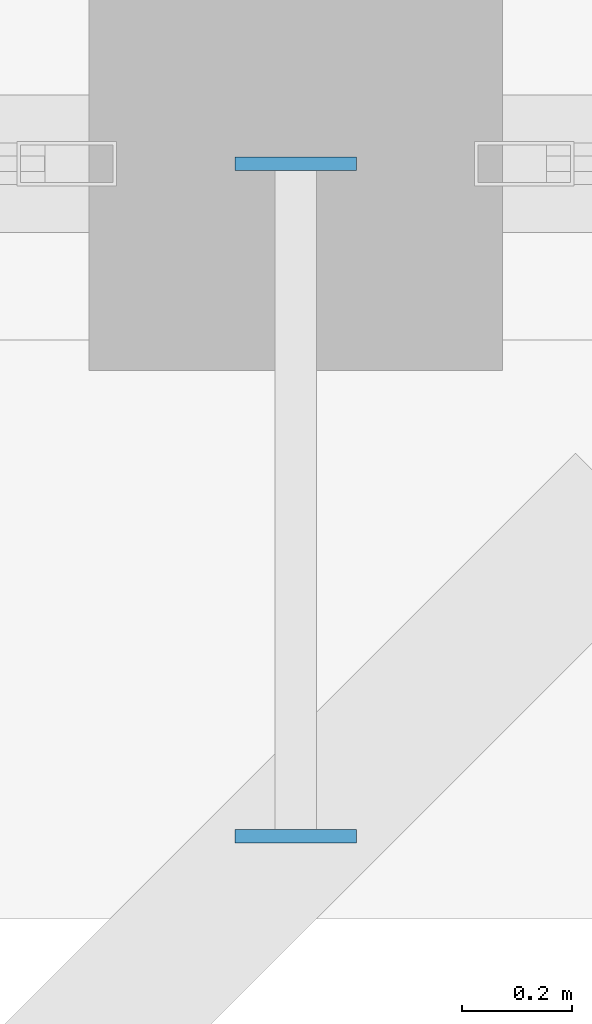
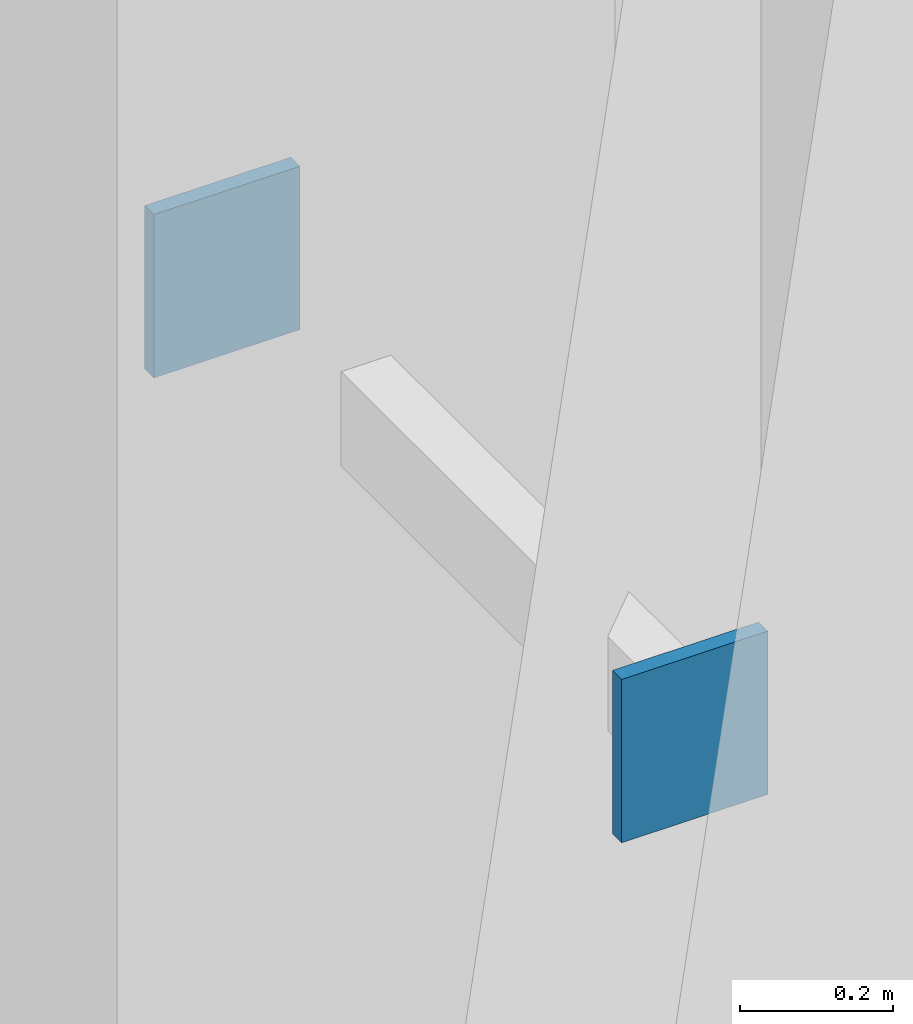
# One storey, part 36 of 48: 2 discrete accessories.
"""IFC4 building model written with IfcOpenShell, lengths in metres."""

from ifc_helpers import new_model, si_unit, direction, frame, origin, origin_2d, place, context, subcontext, project, spatial, rectangle, extrude, material, type_object, element, save


model = new_model("IFC4")

# Units and contexts
model_context = context("Model", 3, precision=1e-05, world=origin(), true_north=direction((0.0, 1.0)))
body_context = subcontext(model_context, "Body", "Model", "MODEL_VIEW")
ifc_project = project(units=[si_unit("LENGTHUNIT", "METRE"), si_unit("AREAUNIT", "SQUARE_METRE"), si_unit("VOLUMEUNIT", "CUBIC_METRE"), si_unit("PLANEANGLEUNIT", "RADIAN"), si_unit("MASSUNIT", "GRAM", prefix="KILO")], contexts=[model_context])

# Site, building, storey
site_placement = place(None, origin())
site = spatial("IfcSite", under=ifc_project, at=site_placement, CompositionType="ELEMENT")
building_placement = place(site_placement, origin())
building = spatial("IfcBuilding", under=site, at=building_placement, Name="Kandorven Conservatory and Botanical Research Centre", CompositionType="ELEMENT")
storey_placement = place(building_placement, frame((0.0, 0.0, 13.199951171875)))
storey = spatial("IfcBuildingStorey", under=building, at=storey_placement, Name="L03", CompositionType="ELEMENT", Elevation=13.199951171875)

# Discrete accessories
ifc_material = material(Name="Steel S355 (IS 2062 E350)", Category="steel")
discrete_accessory_type = type_object("IfcDiscreteAccessoryType", Name="SteelGussetPlate", PredefinedType="BRACKET", material=ifc_material)
for number, where, z_axis, x_axis, name in (
    (1, (27.60009765625, 6.0, 1.3701171875), (0.0, 0.0, 1.0), (1.0, 0.0, 0.0), "Welded steel strut end-plate GUS-01 #25A"),
    (2, (27.60009765625, 4.780029296875, 1.3701171875), (0.0, 0.0, 1.0), (1.0, 0.0, 0.0), "Welded steel strut end-plate GUS-01 #25B"),
):
    element("IfcDiscreteAccessory", number, at=place(storey_placement, frame(where, z_axis=z_axis, x_axis=x_axis)), inside=storey, type_object=discrete_accessory_type, Name=name, PredefinedType="BRACKET", context=body_context, shape_type="SweptSolid", body=[
        extrude(rectangle(XDim=0.219970703125, YDim=0.02392578125, at=origin_2d()), origin(), (0.0, 0.0, 1.0), 0.260009765625),
    ])

save(model, "model.ifc")
